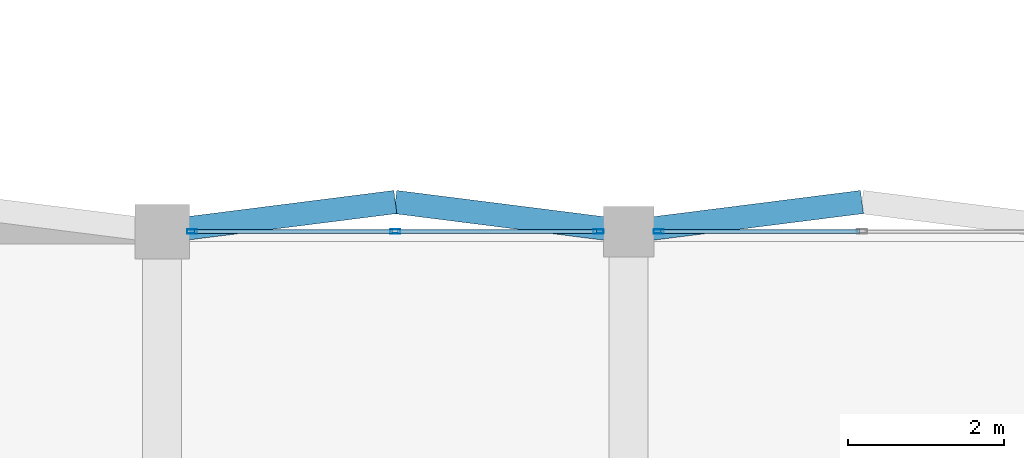
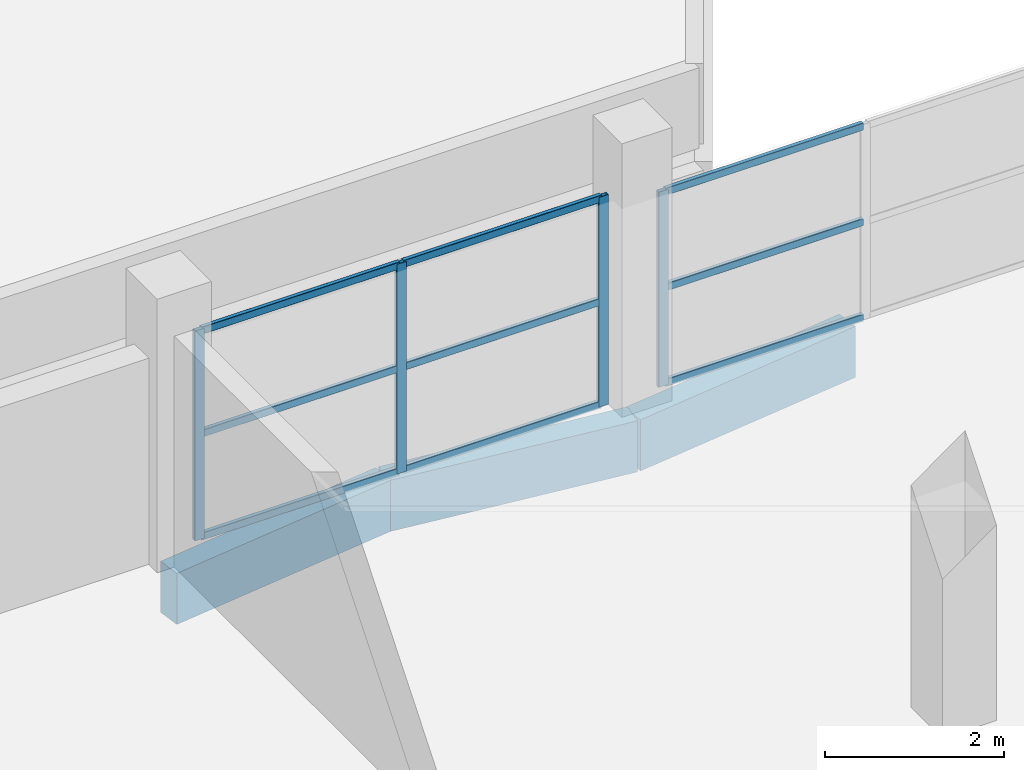
# One storey, part 5 of 239: 13 members, 3 beams, 2 elements without a shape of their own.
"""IFC4 building model written with IfcOpenShell, lengths in metres."""

from ifc_helpers import new_model, si_unit, direction, frame, origin, origin_2d, place, context, subcontext, project, spatial, rectangle, hollow_rectangle, extrude, material, layer, layer_set, material_profile, profile_set, type_object, element, aggregate, save


model = new_model("IFC4")

# Units and contexts
model_context = context("Model", 3, precision=1e-05, world=origin(), true_north=direction((0.0, 1.0)))
body_context = subcontext(model_context, "Body", "Model", "MODEL_VIEW")
ifc_project = project(units=[si_unit("LENGTHUNIT", "METRE"), si_unit("AREAUNIT", "SQUARE_METRE"), si_unit("VOLUMEUNIT", "CUBIC_METRE"), si_unit("PLANEANGLEUNIT", "RADIAN"), si_unit("MASSUNIT", "GRAM", prefix="KILO")], contexts=[model_context])

# Site, building, storey
site_placement = place(None, origin())
site = spatial("IfcSite", under=ifc_project, at=site_placement, CompositionType="ELEMENT")
building_placement = place(site_placement, origin())
building = spatial("IfcBuilding", under=site, at=building_placement, Name="Dunvalen Ferry Terminal", CompositionType="ELEMENT")
storey_placement = place(building_placement, frame((0.0, 0.0, 9.840087890625)))
storey = spatial("IfcBuildingStorey", under=building, at=storey_placement, Name="L02", CompositionType="ELEMENT", Elevation=9.840087890625)

# Curtain wall, member
ifc_material_1 = material(Name="Anodised marine aluminium and solar-control glazing", Category="aluminium")
ifc_layer = layer(ifc_material_1, 0.14990234375, Name="Anodised marine aluminium and solar-control glazing")
ifc_layer_set = layer_set([ifc_layer], Name="Anodised marine aluminium and solar-control glazing")
curtain_wall_type = type_object("IfcCurtainWallType", Name="ENV-CW-SYS-11", PredefinedType="NOTDEFINED", material=ifc_layer_set)
curtain_wall_1_placement = place(storey_placement, origin())
curtain_wall_1 = element("IfcCurtainWall", 1, at=curtain_wall_1_placement, inside=storey, type_object=curtain_wall_type, Name="L02 Curtain Wall CW-V5CORE-L02-7-6", PredefinedType="NOTDEFINED")
ifc_material_2 = material(Name="Anodised marine aluminium EN AW-6063 T6", Category="aluminium")
ifc_material_profile_1 = material_profile(ifc_material_2, hollow_rectangle(XDim=0.054931640625, YDim=0.1298828125, WallThickness=0.003173828125, InnerFilletRadius=0.003173828125, OuterFilletRadius=0.00634765625, at=origin_2d()), Name="Anodised marine aluminium EN AW-6063 T6")
ifc_profile_set_1 = profile_set([ifc_material_profile_1], Name="Anodised marine aluminium EN AW-6063 T6")
member_type_1 = type_object("IfcMemberType", Name="ENV-CW-MUL-4", PredefinedType="MULLION", material=ifc_profile_set_1)
member_1_placement = place(storey_placement, frame((30.387451171875, 36.0, 0.0), z_axis=(0.0, 0.0, 1.0), x_axis=(0.0, -1.0, 0.0)))
member_1 = element("IfcMember", 2, at=member_1_placement, type_object=member_type_1, Name="CW-11 mullion 3", PredefinedType="MULLION", context=body_context, shape_type="SweptSolid", body=[
    extrude(hollow_rectangle(XDim=0.054931640625, YDim=0.1298828125, WallThickness=0.003173828125, InnerFilletRadius=0.003173828125, OuterFilletRadius=0.00634765625, at=origin_2d()), origin(), (0.0, 0.0, 1.0), 2.669921875),
])

# Curtain wall, members
curtain_wall_2_placement = place(storey_placement, origin())
curtain_wall_2 = element("IfcCurtainWall", 3, at=curtain_wall_2_placement, inside=storey, type_object=curtain_wall_type, Name="L02 Curtain Wall CW-V5CORE-L02-7-7", PredefinedType="NOTDEFINED")
member_2_placement = place(storey_placement, frame((29.612548828125, 36.0, 0.0), z_axis=(0.0, 0.0, 1.0), x_axis=(0.0, -1.0, 0.0)))
member_2 = element("IfcMember", 4, at=member_2_placement, type_object=member_type_1, Name="CW-11 mullion 1", PredefinedType="MULLION", context=body_context, shape_type="SweptSolid", body=[
    extrude(hollow_rectangle(XDim=0.054931640625, YDim=0.1298828125, WallThickness=0.003173828125, InnerFilletRadius=0.003173828125, OuterFilletRadius=0.00634765625, at=origin_2d()), origin(), (0.0, 0.0, 1.0), 2.869873046875),
])
member_3_placement = place(storey_placement, frame((27.0, 36.0, 0.0), z_axis=(0.0, 0.0, 1.0), x_axis=(0.0, -1.0, 0.0)))
member_3 = element("IfcMember", 5, at=member_3_placement, type_object=member_type_1, Name="CW-11 mullion 2", PredefinedType="MULLION", context=body_context, shape_type="SweptSolid", body=[
    extrude(hollow_rectangle(XDim=0.054931640625, YDim=0.1298828125, WallThickness=0.003173828125, InnerFilletRadius=0.003173828125, OuterFilletRadius=0.00634765625, at=origin_2d()), origin(), (0.0, 0.0, 1.0), 2.869873046875),
])
member_4_placement = place(storey_placement, frame((24.387451171875, 36.0, 0.0), z_axis=(0.0, 0.0, 1.0), x_axis=(0.0, -1.0, 0.0)))
member_4 = element("IfcMember", 6, at=member_4_placement, type_object=member_type_1, Name="CW-11 mullion 3", PredefinedType="MULLION", context=body_context, shape_type="SweptSolid", body=[
    extrude(hollow_rectangle(XDim=0.054931640625, YDim=0.1298828125, WallThickness=0.003173828125, InnerFilletRadius=0.003173828125, OuterFilletRadius=0.00634765625, at=origin_2d()), origin(), (0.0, 0.0, 1.0), 2.869873046875),
])

# Member
ifc_material_profile_2 = material_profile(ifc_material_2, hollow_rectangle(XDim=0.054931640625, YDim=0.10009765625, WallThickness=0.0029296875, InnerFilletRadius=0.0029296875, OuterFilletRadius=0.006103515625, at=origin_2d()), Name="Anodised marine aluminium EN AW-6063 T6")
ifc_profile_set_2 = profile_set([ifc_material_profile_2], Name="Anodised marine aluminium EN AW-6063 T6")
member_type_2 = type_object("IfcMemberType", Name="ENV-CW-TRN-4", PredefinedType="USERDEFINED", material=ifc_profile_set_2)
member_5_placement = place(storey_placement, frame((32.972412109375, 36.0, 0.02734375), z_axis=(-1.0, 0.0, 0.0), x_axis=(0.0, -1.0, 0.0)))
member_5 = element("IfcMember", 7, at=member_5_placement, type_object=member_type_2, Name="CW-11 transom 2.1", ObjectType="TRANSOM", PredefinedType="USERDEFINED", context=body_context, shape_type="SweptSolid", body=[
    extrude(hollow_rectangle(XDim=0.054931640625, YDim=0.10009765625, WallThickness=0.0029296875, InnerFilletRadius=0.0029296875, OuterFilletRadius=0.006103515625, at=origin_2d()), origin(), (0.0, 0.0, 1.0), 2.557373046875),
])

member_6_placement = place(storey_placement, frame((32.972412109375, 36.0, 1.3349609375), z_axis=(-1.0, 0.0, 0.0), x_axis=(0.0, -1.0, 0.0)))
member_6 = element("IfcMember", 8, at=member_6_placement, type_object=member_type_2, Name="CW-11 transom 2.2", ObjectType="TRANSOM", PredefinedType="USERDEFINED", context=body_context, shape_type="SweptSolid", body=[
    extrude(hollow_rectangle(XDim=0.054931640625, YDim=0.10009765625, WallThickness=0.0029296875, InnerFilletRadius=0.0029296875, OuterFilletRadius=0.006103515625, at=origin_2d()), origin(), (0.0, 0.0, 1.0), 2.557373046875),
])

member_7_placement = place(storey_placement, frame((32.972412109375, 36.0, 2.642333984375), z_axis=(-1.0, 0.0, 0.0), x_axis=(0.0, -1.0, 0.0)))
member_7 = element("IfcMember", 9, at=member_7_placement, type_object=member_type_2, Name="CW-11 transom 2.3", ObjectType="TRANSOM", PredefinedType="USERDEFINED", context=body_context, shape_type="SweptSolid", body=[
    extrude(hollow_rectangle(XDim=0.054931640625, YDim=0.10009765625, WallThickness=0.0029296875, InnerFilletRadius=0.0029296875, OuterFilletRadius=0.006103515625, at=origin_2d()), origin(), (0.0, 0.0, 1.0), 2.557373046875),
])

aggregate(curtain_wall_1, [member_1, member_5, member_6, member_7])

member_8_placement = place(storey_placement, frame((29.5849609375, 36.0, 0.02734375), z_axis=(-1.0, 0.0, 0.0), x_axis=(0.0, -1.0, 0.0)))
member_8 = element("IfcMember", 10, at=member_8_placement, type_object=member_type_2, Name="CW-11 transom 1.1", ObjectType="TRANSOM", PredefinedType="USERDEFINED", context=body_context, shape_type="SweptSolid", body=[
    extrude(hollow_rectangle(XDim=0.054931640625, YDim=0.10009765625, WallThickness=0.0029296875, InnerFilletRadius=0.0029296875, OuterFilletRadius=0.006103515625, at=origin_2d()), origin(), (0.0, 0.0, 1.0), 2.557373046875),
])

member_9_placement = place(storey_placement, frame((29.5849609375, 36.0, 1.434814453125), z_axis=(-1.0, 0.0, 0.0), x_axis=(0.0, -1.0, 0.0)))
member_9 = element("IfcMember", 11, at=member_9_placement, type_object=member_type_2, Name="CW-11 transom 1.2", ObjectType="TRANSOM", PredefinedType="USERDEFINED", context=body_context, shape_type="SweptSolid", body=[
    extrude(hollow_rectangle(XDim=0.054931640625, YDim=0.10009765625, WallThickness=0.0029296875, InnerFilletRadius=0.0029296875, OuterFilletRadius=0.006103515625, at=origin_2d()), origin(), (0.0, 0.0, 1.0), 2.557373046875),
])

member_10_placement = place(storey_placement, frame((29.5849609375, 36.0, 2.842529296875), z_axis=(-1.0, 0.0, 0.0), x_axis=(0.0, -1.0, 0.0)))
member_10 = element("IfcMember", 12, at=member_10_placement, type_object=member_type_2, Name="CW-11 transom 1.3", ObjectType="TRANSOM", PredefinedType="USERDEFINED", context=body_context, shape_type="SweptSolid", body=[
    extrude(hollow_rectangle(XDim=0.054931640625, YDim=0.10009765625, WallThickness=0.0029296875, InnerFilletRadius=0.0029296875, OuterFilletRadius=0.006103515625, at=origin_2d()), origin(), (0.0, 0.0, 1.0), 2.557373046875),
])

member_11_placement = place(storey_placement, frame((26.972412109375, 36.0, 0.02734375), z_axis=(-1.0, 0.0, 0.0), x_axis=(0.0, -1.0, 0.0)))
member_11 = element("IfcMember", 13, at=member_11_placement, type_object=member_type_2, Name="CW-11 transom 2.1", ObjectType="TRANSOM", PredefinedType="USERDEFINED", context=body_context, shape_type="SweptSolid", body=[
    extrude(hollow_rectangle(XDim=0.054931640625, YDim=0.10009765625, WallThickness=0.0029296875, InnerFilletRadius=0.0029296875, OuterFilletRadius=0.006103515625, at=origin_2d()), origin(), (0.0, 0.0, 1.0), 2.557373046875),
])

member_12_placement = place(storey_placement, frame((26.972412109375, 36.0, 1.434814453125), z_axis=(-1.0, 0.0, 0.0), x_axis=(0.0, -1.0, 0.0)))
member_12 = element("IfcMember", 14, at=member_12_placement, type_object=member_type_2, Name="CW-11 transom 2.2", ObjectType="TRANSOM", PredefinedType="USERDEFINED", context=body_context, shape_type="SweptSolid", body=[
    extrude(hollow_rectangle(XDim=0.054931640625, YDim=0.10009765625, WallThickness=0.0029296875, InnerFilletRadius=0.0029296875, OuterFilletRadius=0.006103515625, at=origin_2d()), origin(), (0.0, 0.0, 1.0), 2.557373046875),
])

member_13_placement = place(storey_placement, frame((26.972412109375, 36.0, 2.842529296875), z_axis=(-1.0, 0.0, 0.0), x_axis=(0.0, -1.0, 0.0)))
member_13 = element("IfcMember", 15, at=member_13_placement, type_object=member_type_2, Name="CW-11 transom 2.3", ObjectType="TRANSOM", PredefinedType="USERDEFINED", context=body_context, shape_type="SweptSolid", body=[
    extrude(hollow_rectangle(XDim=0.054931640625, YDim=0.10009765625, WallThickness=0.0029296875, InnerFilletRadius=0.0029296875, OuterFilletRadius=0.006103515625, at=origin_2d()), origin(), (0.0, 0.0, 1.0), 2.557373046875),
])

aggregate(curtain_wall_2, [member_2, member_3, member_4, member_8, member_9, member_10, member_11, member_12, member_13])

# Beams
ifc_material_3 = material(Name="Concrete C40/50", Category="concrete")
ifc_material_profile_3 = material_profile(ifc_material_3, rectangle(XDim=0.300048828125, YDim=0.699951171875, at=origin_2d()), Name="Concrete C40/50")
ifc_profile_set_3 = profile_set([ifc_material_profile_3], Name="Concrete C40/50")
beam_type = type_object("IfcBeamType", Name="STR-BM-RCSP700", PredefinedType="SPANDREL", material=ifc_profile_set_3)
for number, where, z_axis, x_axis, name in (
    (16, (24.0, 36.0, -0.610107421875), (0.992077869489, 0.12562444376, 0.0), (-0.12562444376, 0.992077869489, 0.0), "L02 Passage Pilaster Spandrel Tie 03.1"),
    (17, (27.0, 36.3798828125, -0.610107421875), (0.992077869489, -0.12562444376, 0.0), (0.12562444376, 0.992077869489, 0.0), "L02 Passage Pilaster Spandrel Tie 03.2"),
    (18, (30.0, 36.0, -0.610107421875), (0.992077869489, 0.12562444376, 0.0), (-0.12562444376, 0.992077869489, 0.0), "L02 Passage Pilaster Spandrel Tie 04.1"),
):
    element("IfcBeam", number, at=place(storey_placement, frame(where, z_axis=z_axis, x_axis=x_axis)), inside=storey, type_object=beam_type, Name=name, PredefinedType="SPANDREL", context=body_context, shape_type="SweptSolid", body=[
        extrude(rectangle(XDim=0.300048828125, YDim=0.699951171875, at=origin_2d()), origin(), (0.0, 0.0, 1.0), 3.02392578125),
    ])

save(model, "model.ifc")
